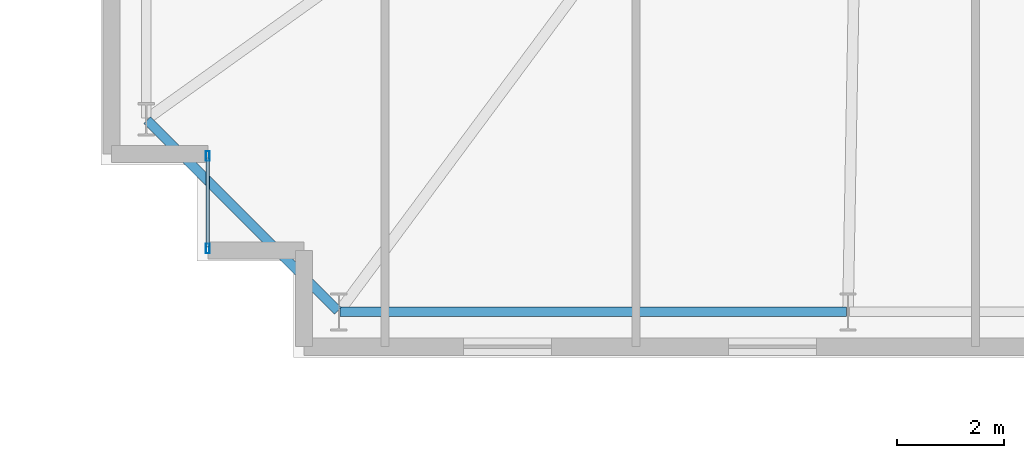
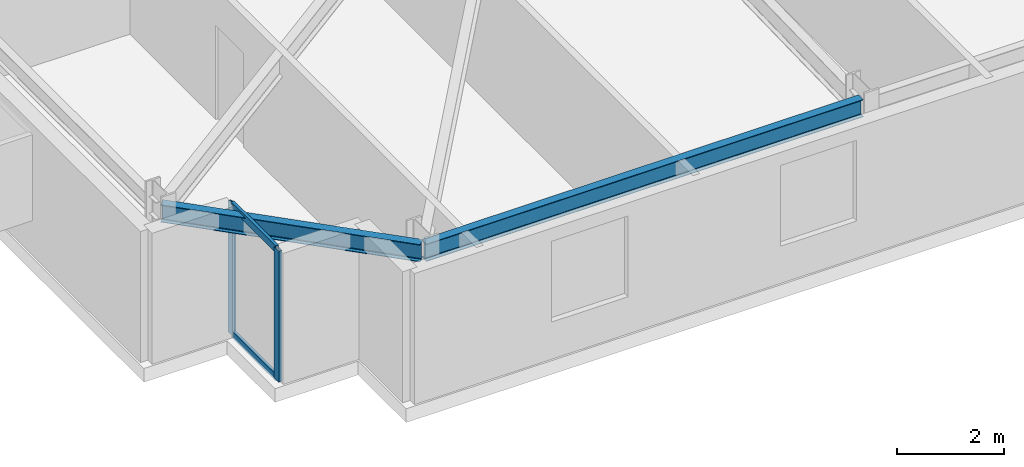
# One storey, part 4 of 20: 4 members, 2 beams, 1 element without a shape of its own.
"""IFC4 building model written with IfcOpenShell, lengths in metres."""

from ifc_helpers import new_model, si_unit, direction, frame, origin, origin_2d, place, context, subcontext, project, spatial, hollow_rectangle, i_section, extrude, material, layer, layer_set, material_profile, profile_set, type_object, element, aggregate, save


model = new_model("IFC4")

# Units and contexts
model_context = context("Model", 3, precision=1e-05, world=origin(), true_north=direction((0.0, 1.0)))
body_context = subcontext(model_context, "Body", "Model", "MODEL_VIEW")
ifc_project = project(units=[si_unit("LENGTHUNIT", "METRE"), si_unit("AREAUNIT", "SQUARE_METRE"), si_unit("VOLUMEUNIT", "CUBIC_METRE"), si_unit("PLANEANGLEUNIT", "RADIAN"), si_unit("MASSUNIT", "GRAM", prefix="KILO")], contexts=[model_context])

# Site, building, storey
site_placement = place(None, origin())
site = spatial("IfcSite", under=ifc_project, at=site_placement, CompositionType="ELEMENT")
building_placement = place(site_placement, origin())
building = spatial("IfcBuilding", under=site, at=building_placement, Name="Qobustan Lattice House", CompositionType="ELEMENT")
storey_placement = place(building_placement, frame((0.0, 0.0, 70.550048828125)))
storey = spatial("IfcBuildingStorey", under=building, at=storey_placement, Name="L19", CompositionType="ELEMENT", Elevation=70.550048828125)

# Beams
ifc_material_1 = material(Name="Steel S355", Category="steel")
ifc_material_profile_1 = material_profile(ifc_material_1, i_section(OverallWidth=0.179931640625, OverallDepth=0.39990234375, WebThickness=0.008544921875, FlangeThickness=0.013427734375, FilletRadius=0.02099609375, at=origin_2d()), Name="IPE400")
ifc_profile_set_1 = profile_set([ifc_material_profile_1], Name="Steel S355")
beam_type = type_object("IfcBeamType", Name="BM-SPD-IPE400", PredefinedType="SPANDREL", material=ifc_profile_set_1)
beam_1_placement = place(storey_placement, frame((-28.52490234375, -18.75, 2.800048828125), z_axis=(1.0, 0.0, 0.0), x_axis=(0.0, 1.0, 0.0)))
element("IfcBeam", 1, at=beam_1_placement, inside=storey, type_object=beam_type, Name="L19 perimeter spandrel S1-S2", PredefinedType="SPANDREL", context=body_context, shape_type="SweptSolid", body=[
    extrude(i_section(OverallWidth=0.179931640625, OverallDepth=0.39990234375, WebThickness=0.008544921875, FlangeThickness=0.013427734375, FilletRadius=0.02099609375, at=origin_2d()), origin(), (0.0, 0.0, 1.0), 9.466552734375),
])
beam_2_placement = place(storey_placement, frame((-32.13232421875, -15.167724609375, 2.800048828125), z_axis=(0.707106781187, -0.707106781187, 0.0), x_axis=(0.707106781187, 0.707106781187, 0.0)))
element("IfcBeam", 2, at=beam_2_placement, inside=storey, type_object=beam_type, Name="L19 perimeter spandrel W4-S1", PredefinedType="SPANDREL", context=body_context, shape_type="SweptSolid", body=[
    extrude(i_section(OverallWidth=0.179931640625, OverallDepth=0.39990234375, WebThickness=0.008544921875, FlangeThickness=0.013427734375, FilletRadius=0.02099609375, at=origin_2d()), origin(), (0.0, 0.0, 1.0), 5.041259765625),
])

# Curtain wall, members
ifc_material_2 = material(Name="Anodised aluminium and low-E glazing", Category="aluminium")
ifc_layer = layer(ifc_material_2, 0.219970703125)
ifc_layer_set = layer_set([ifc_layer], Name="Anodised aluminium and low-E glazing")
curtain_wall_type = type_object("IfcCurtainWallType", Name="CW-FAC-01", PredefinedType="USERDEFINED", material=ifc_layer_set)
curtain_wall_placement = place(storey_placement, origin())
curtain_wall = element("IfcCurtainWall", 3, at=curtain_wall_placement, inside=storey, type_object=curtain_wall_type, Name="L19 serrated corner faceted glazing 3", ObjectType="CURTAIN WALL", PredefinedType="USERDEFINED")
ifc_material_3 = material(Name="Anodised aluminium EN AW-6063 T6", Category="aluminium")
ifc_material_profile_2 = material_profile(ifc_material_3, hollow_rectangle(XDim=0.070068359375, YDim=0.179931640625, WallThickness=0.00439453125, at=origin_2d()), Name="CWM-180x70")
ifc_profile_set_2 = profile_set([ifc_material_profile_2], Name="Anodised aluminium EN AW-6063 T6")
member_type_1 = type_object("IfcMemberType", Name="CWM-STD-180", PredefinedType="MULLION", material=ifc_profile_set_2)
member_1_placement = place(storey_placement, frame((-31.0, -17.56494140625, 0.0), z_axis=(0.0, 0.0, 1.0), x_axis=(-1.0, 0.0, 0.0)))
member_1 = element("IfcMember", 4, at=member_1_placement, type_object=member_type_1, Name="CW-F1 mullion 1", PredefinedType="MULLION", context=body_context, shape_type="SweptSolid", body=[
    extrude(hollow_rectangle(XDim=0.070068359375, YDim=0.179931640625, WallThickness=0.00439453125, at=origin_2d()), origin(), (0.0, 0.0, 1.0), 3.0),
])
member_2_placement = place(storey_placement, frame((-31.0, -15.8349609375, 0.0), z_axis=(0.0, 0.0, 1.0), x_axis=(-1.0, 0.0, 0.0)))
member_2 = element("IfcMember", 5, at=member_2_placement, type_object=member_type_1, Name="CW-F1 mullion 2", PredefinedType="MULLION", context=body_context, shape_type="SweptSolid", body=[
    extrude(hollow_rectangle(XDim=0.070068359375, YDim=0.179931640625, WallThickness=0.00439453125, at=origin_2d()), origin(), (0.0, 0.0, 1.0), 3.0),
])
ifc_material_4 = material(Name="Anodised aluminium EN AW-6063 T6", Category="aluminium")
ifc_material_profile_3 = material_profile(ifc_material_4, hollow_rectangle(XDim=0.06494140625, YDim=0.159912109375, WallThickness=0.00390625, at=origin_2d()), Name="CWT-160x65")
ifc_profile_set_3 = profile_set([ifc_material_profile_3], Name="Anodised aluminium EN AW-6063 T6")
member_type_2 = type_object("IfcMemberType", Name="CWT-HOR-160", PredefinedType="USERDEFINED", material=ifc_profile_set_3)
member_3_placement = place(storey_placement, frame((-31.0, -17.530029296875, 0.032470703125), z_axis=(0.0, 1.0, 0.0), x_axis=(-1.0, 0.0, 0.0)))
member_3 = element("IfcMember", 6, at=member_3_placement, type_object=member_type_2, Name="CW-F1 transom 1.1", ObjectType="TRANSOM", PredefinedType="USERDEFINED", context=body_context, shape_type="SweptSolid", body=[
    extrude(hollow_rectangle(XDim=0.06494140625, YDim=0.159912109375, WallThickness=0.00390625, at=origin_2d()), origin(), (0.0, 0.0, 1.0), 1.659912109375),
])
member_4_placement = place(storey_placement, frame((-31.0, -17.530029296875, 2.967529296875), z_axis=(0.0, 1.0, 0.0), x_axis=(-1.0, 0.0, 0.0)))
member_4 = element("IfcMember", 7, at=member_4_placement, type_object=member_type_2, Name="CW-F1 transom 1.2", ObjectType="TRANSOM", PredefinedType="USERDEFINED", context=body_context, shape_type="SweptSolid", body=[
    extrude(hollow_rectangle(XDim=0.06494140625, YDim=0.159912109375, WallThickness=0.00390625, at=origin_2d()), origin(), (0.0, 0.0, 1.0), 1.659912109375),
])
aggregate(curtain_wall, [member_1, member_2, member_3, member_4])

save(model, "model.ifc")
